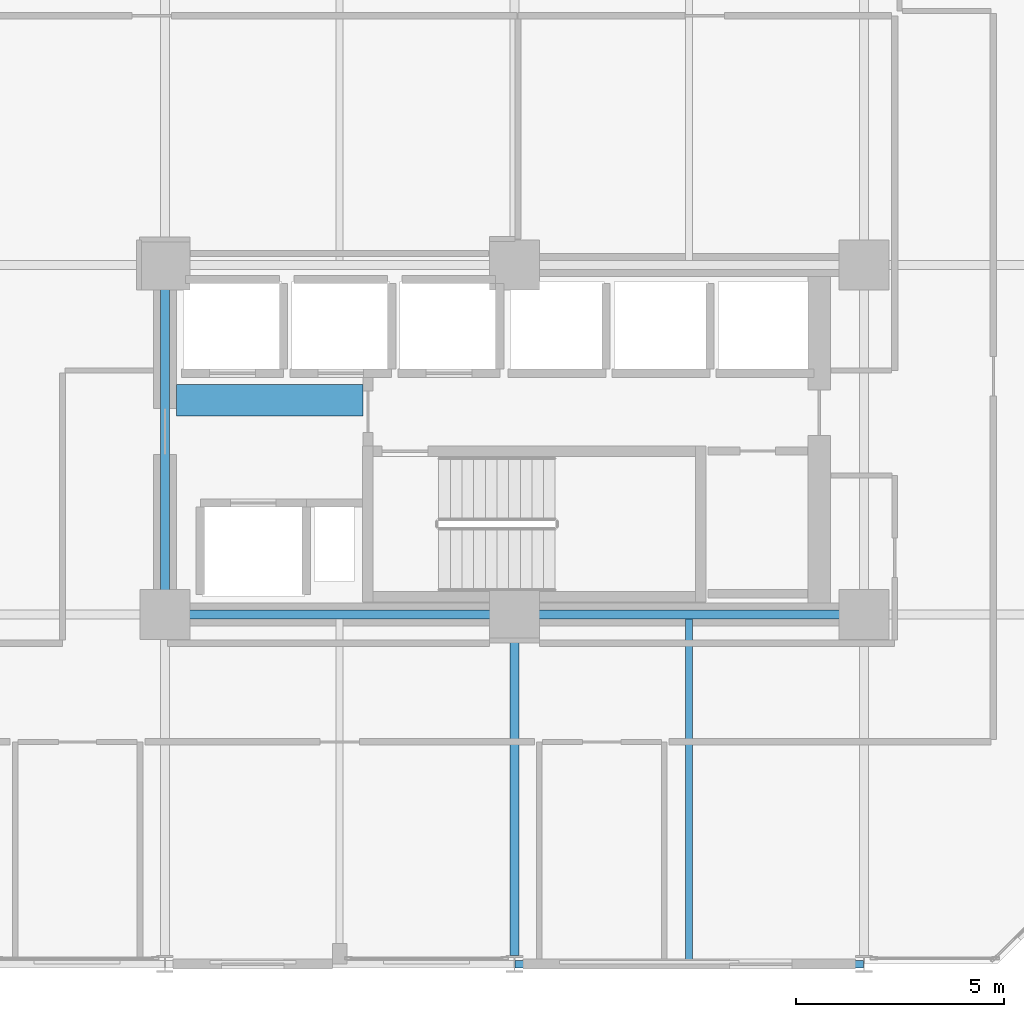
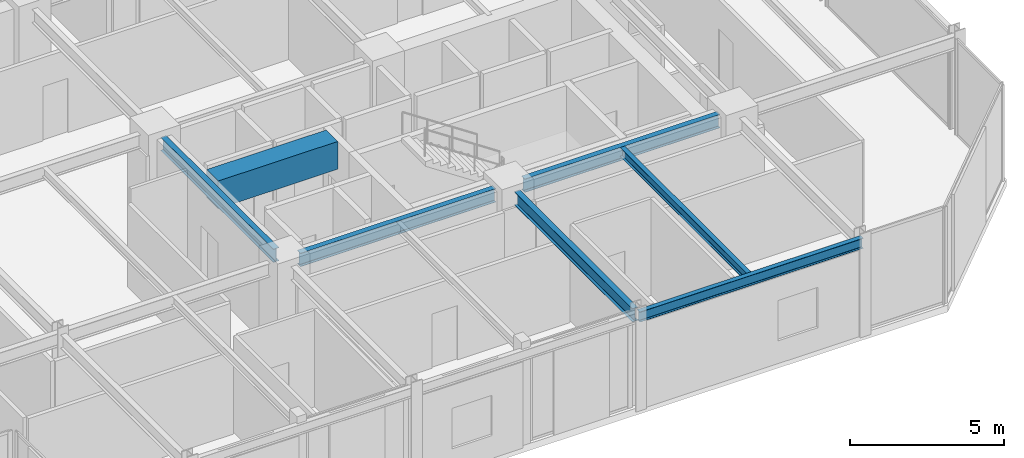
# One storey, part 7 of 29: 7 beams.
"""IFC4 building model written with IfcOpenShell, lengths in metres."""

from ifc_helpers import new_model, si_unit, direction, frame, origin, origin_2d, place, context, subcontext, project, spatial, rectangle, i_section, extrude, material, material_profile, profile_set, type_object, element, save


model = new_model("IFC4")

# Units and contexts
model_context = context("Model", 3, precision=1e-05, world=origin(), true_north=direction((0.0, 1.0)))
body_context = subcontext(model_context, "Body", "Model", "MODEL_VIEW")
ifc_project = project(units=[si_unit("LENGTHUNIT", "METRE"), si_unit("AREAUNIT", "SQUARE_METRE"), si_unit("VOLUMEUNIT", "CUBIC_METRE"), si_unit("PLANEANGLEUNIT", "RADIAN"), si_unit("MASSUNIT", "GRAM", prefix="KILO")], contexts=[model_context])

# Site, building, storey
site_placement = place(None, origin())
site = spatial("IfcSite", under=ifc_project, at=site_placement, CompositionType="ELEMENT")
building_placement = place(site_placement, origin())
building = spatial("IfcBuilding", under=site, at=building_placement, Name="Nerrivon Quay Data Exchange", CompositionType="ELEMENT")
storey_placement = place(building_placement, frame((0.0, 0.0, 121.300048828125)))
storey = spatial("IfcBuildingStorey", under=building, at=storey_placement, Name="L28", CompositionType="ELEMENT", Elevation=121.300048828125)

# Beams
ifc_material_1 = material(Name="Concrete S65 (65 MPa)", Category="concrete")
ifc_material_profile_1 = material_profile(ifc_material_1, rectangle(XDim=0.75, YDim=1.10009765625, at=origin_2d()), Name="RC-CB-750x1100")
ifc_profile_set_1 = profile_set([ifc_material_profile_1], Name="Concrete S65 (65 MPa)")
beam_type_1 = type_object("IfcBeamType", Name="BM-CB1-750x1100", PredefinedType="LINTEL", material=ifc_profile_set_1)
beam_1_placement = place(storey_placement, frame((17.074951171875, 13.550048828125, 3.27490234375), z_axis=(1.0, 0.0, 0.0), x_axis=(0.0, 1.0, 0.0)))
element("IfcBeam", 1, at=beam_1_placement, inside=storey, type_object=beam_type_1, Name="L28 East Core Coupling Beam", PredefinedType="LINTEL", context=body_context, shape_type="SweptSolid", body=[
    extrude(rectangle(XDim=0.75, YDim=1.10009765625, at=origin_2d()), origin(), (0.0, 0.0, 1.0), 4.47998046875),
])
ifc_material_2 = material(Name="Steel Grade 350", Category="steel")
ifc_material_profile_2 = material_profile(ifc_material_2, i_section(OverallWidth=0.208984375, OverallDepth=0.532958984375, WebThickness=0.01025390625, FlangeThickness=0.015625, FilletRadius=0.013916015625, at=origin_2d()), Name="530UB92.4")
ifc_profile_set_2 = profile_set([ifc_material_profile_2], Name="Steel Grade 350")
beam_type_2 = type_object("IfcBeamType", Name="BM-G3-530UB92", PredefinedType="BEAM", material=ifc_profile_set_2)
beam_2_placement = place(storey_placement, frame((17.340087890625, 8.39990234375, 3.558349609375), z_axis=(1.0, 0.0, 0.0), x_axis=(0.0, 1.0, 0.0)))
element("IfcBeam", 2, at=beam_2_placement, inside=storey, type_object=beam_type_2, Name="L28 EW Girder Y=8.4 (16.8..25.2)", PredefinedType="BEAM", context=body_context, shape_type="SweptSolid", body=[
    extrude(i_section(OverallWidth=0.208984375, OverallDepth=0.532958984375, WebThickness=0.01025390625, FlangeThickness=0.015625, FilletRadius=0.013916015625, at=origin_2d()), origin(), (0.0, 0.0, 1.0), 7.31982421875),
])
beam_3_placement = place(storey_placement, frame((25.739990234375, 8.39990234375, 3.558349609375), z_axis=(1.0, 0.0, 0.0), x_axis=(0.0, 1.0, 0.0)))
element("IfcBeam", 3, at=beam_3_placement, inside=storey, type_object=beam_type_2, Name="L28 EW Girder Y=8.4 (25.2..33.6)", PredefinedType="BEAM", context=body_context, shape_type="SweptSolid", body=[
    extrude(i_section(OverallWidth=0.208984375, OverallDepth=0.532958984375, WebThickness=0.01025390625, FlangeThickness=0.015625, FilletRadius=0.013916015625, at=origin_2d()), origin(), (0.0, 0.0, 1.0), 7.320068359375),
])
ifc_material_profile_3 = material_profile(ifc_material_2, i_section(OverallWidth=0.208984375, OverallDepth=0.528076171875, WebThickness=0.009521484375, FlangeThickness=0.01318359375, FilletRadius=0.013916015625, at=origin_2d()), Name="530UB82.0")
ifc_profile_set_3 = profile_set([ifc_material_profile_3], Name="Steel Grade 350")
beam_type_3 = type_object("IfcBeamType", Name="BM-G4-530UB82", PredefinedType="BEAM", material=ifc_profile_set_3)
beam_4_placement = place(storey_placement, frame((16.800048828125, 8.93994140625, 3.56103515625), z_axis=(0.0, 1.0, 0.0), x_axis=(-1.0, 0.0, 0.0)))
element("IfcBeam", 4, at=beam_4_placement, inside=storey, type_object=beam_type_3, Name="L28 NS Girder X=16.8 (8.4..16.8)", PredefinedType="BEAM", context=body_context, shape_type="SweptSolid", body=[
    extrude(i_section(OverallWidth=0.208984375, OverallDepth=0.528076171875, WebThickness=0.009521484375, FlangeThickness=0.01318359375, FilletRadius=0.013916015625, at=origin_2d()), origin(), (0.0, 0.0, 1.0), 7.320068359375),
])
beam_5_placement = place(storey_placement, frame((25.199951171875, 0.199951171875, 3.56103515625), z_axis=(0.0, 1.0, 0.0), x_axis=(-1.0, 0.0, 0.0)))
element("IfcBeam", 5, at=beam_5_placement, inside=storey, type_object=beam_type_3, Name="L28 NS Girder X=25.2 (0.0..8.4)", PredefinedType="BEAM", context=body_context, shape_type="SweptSolid", body=[
    extrude(i_section(OverallWidth=0.208984375, OverallDepth=0.528076171875, WebThickness=0.009521484375, FlangeThickness=0.01318359375, FilletRadius=0.013916015625, at=origin_2d()), origin(), (0.0, 0.0, 1.0), 7.66015625),
])
ifc_material_profile_4 = material_profile(ifc_material_2, i_section(OverallWidth=0.1708984375, OverallDepth=0.35595703125, WebThickness=0.00732421875, FlangeThickness=0.011474609375, FilletRadius=0.011474609375, at=origin_2d()), Name="360UB50.7")
ifc_profile_set_4 = profile_set([ifc_material_profile_4], Name="Steel Grade 350")
beam_type_4 = type_object("IfcBeamType", Name="BM-J4-360UB51", PredefinedType="JOIST", material=ifc_profile_set_4)
beam_6_placement = place(storey_placement, frame((29.39990234375, 0.089111328125, 3.64697265625), z_axis=(0.0, 1.0, 0.0), x_axis=(-1.0, 0.0, 0.0)))
element("IfcBeam", 6, at=beam_6_placement, inside=storey, type_object=beam_type_4, Name="L28 Secondary Joist X=29.4 (0.0..8.4)", PredefinedType="JOIST", context=body_context, shape_type="SweptSolid", body=[
    extrude(i_section(OverallWidth=0.1708984375, OverallDepth=0.35595703125, WebThickness=0.00732421875, FlangeThickness=0.011474609375, FilletRadius=0.011474609375, at=origin_2d()), origin(), (0.0, 0.0, 1.0), 8.206298828125),
])
ifc_material_profile_5 = material_profile(ifc_material_2, i_section(OverallWidth=0.177978515625, OverallDepth=0.403076171875, WebThickness=0.007568359375, FlangeThickness=0.010986328125, FilletRadius=0.011474609375, at=origin_2d()), Name="410UB53.7")
ifc_profile_set_5 = profile_set([ifc_material_profile_5], Name="Steel Grade 350")
beam_type_5 = type_object("IfcBeamType", Name="BM-SP2-410UB54", PredefinedType="SPANDREL", material=ifc_profile_set_5)
beam_7_placement = place(storey_placement, frame((25.21240234375, 0.0, 3.62353515625), z_axis=(1.0, 0.0, 0.0), x_axis=(0.0, 1.0, 0.0)))
element("IfcBeam", 7, at=beam_7_placement, inside=storey, type_object=beam_type_5, Name="L28 EW Girder Y=0.0 (25.2..33.6)", PredefinedType="SPANDREL", context=body_context, shape_type="SweptSolid", body=[
    extrude(i_section(OverallWidth=0.177978515625, OverallDepth=0.403076171875, WebThickness=0.007568359375, FlangeThickness=0.010986328125, FilletRadius=0.011474609375, at=origin_2d()), origin(), (0.0, 0.0, 1.0), 8.375),
])

save(model, "model.ifc")
